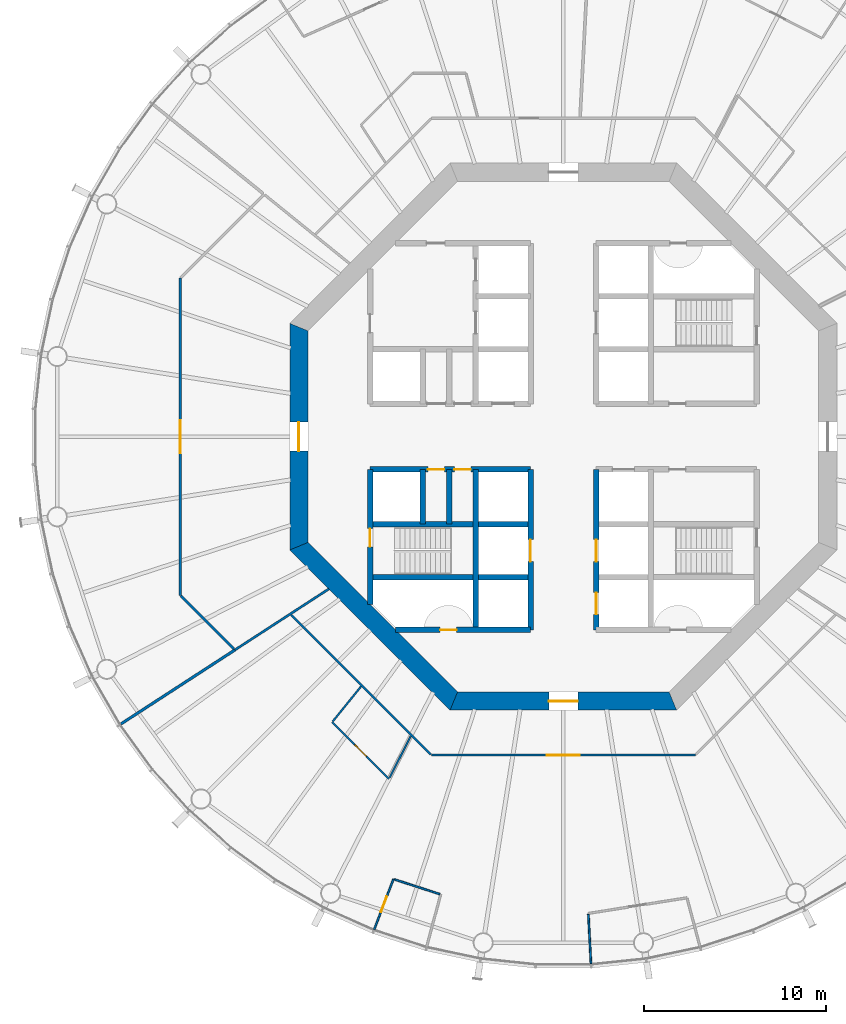
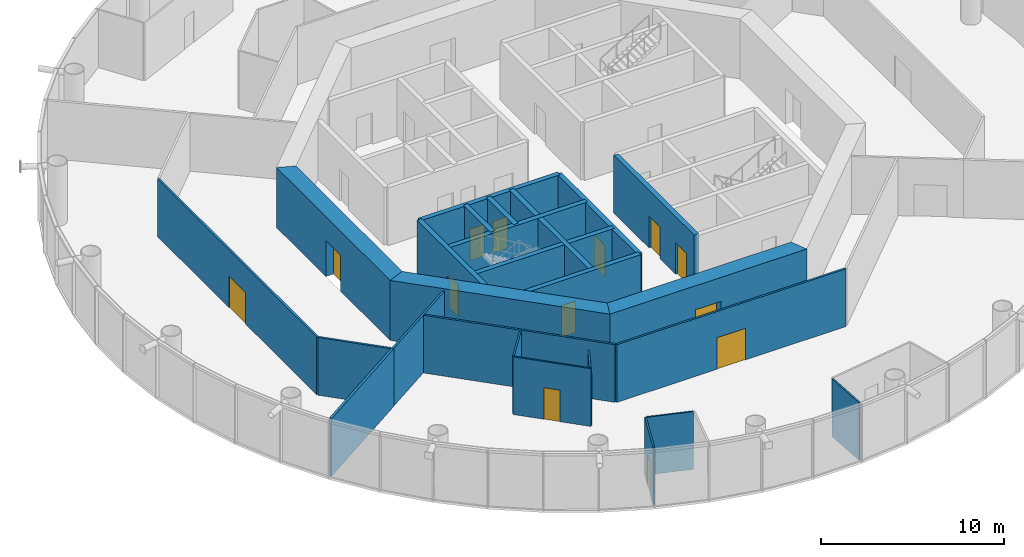
# One storey, part 3 of 17: 25 walls, 13 doors, 13 openings.
"""IFC4 building model written with IfcOpenShell, lengths in metres."""

from ifc_helpers import new_model, si_unit, direction, frame, frame_2d, origin, place, context, subcontext, project, spatial, polyline, rectangle, outline, extrude, material, layer, layer_set, type_object, element, fill, save


model = new_model("IFC4")

# Units and contexts
model_context = context("Model", 3, precision=1e-05, world=origin(), true_north=direction((0.0, 1.0)))
body_context = subcontext(model_context, "Body", "Model", "MODEL_VIEW")
ifc_project = project(units=[si_unit("LENGTHUNIT", "METRE"), si_unit("AREAUNIT", "SQUARE_METRE"), si_unit("VOLUMEUNIT", "CUBIC_METRE"), si_unit("PLANEANGLEUNIT", "RADIAN"), si_unit("MASSUNIT", "GRAM", prefix="KILO")], contexts=[model_context])

# Site, building, storey
site_placement = place(None, origin())
site = spatial("IfcSite", under=ifc_project, at=site_placement, CompositionType="ELEMENT")
building_placement = place(site_placement, origin())
building = spatial("IfcBuilding", under=site, at=building_placement, Name="Entoto Ring Tower", CompositionType="ELEMENT")
storey_placement = place(building_placement, frame((0.0, 0.0, 160.0)))
storey = spatial("IfcBuildingStorey", under=building, at=storey_placement, Name="L36", CompositionType="ELEMENT", Elevation=160.0)

# Wall, openings, doors
ifc_material_1 = material(Name="Concrete C40/50", Category="concrete")
ifc_layer_1 = layer(ifc_material_1, 0.300048828125)
ifc_layer_set_1 = layer_set([ifc_layer_1], Name="Concrete C40/50")
wall_type_1 = type_object("IfcWallType", Name="Core enclosure wall 300 mm reinforced concrete", PredefinedType="SOLIDWALL", material=ifc_layer_set_1)
wall_1_placement = place(storey_placement, frame((91.800048828125, 69.39990234375, 0.0), z_axis=(0.0, 0.0, 1.0), x_axis=(0.0, 1.0, 0.0)))
wall_1 = element("IfcWall", 1, at=wall_1_placement, inside=storey, type_object=wall_type_1, Name="wall-L36-005", PredefinedType="SOLIDWALL", context=body_context, shape_type="SweptSolid", body=[
    extrude(rectangle(XDim=8.800048828125, YDim=0.300048828125, at=frame_2d((4.39990234375, 0.0))), origin(), (0.0, 0.0, 1.0), 3.85009765625),
])
opening_1_placement = place(wall_1_placement, frame((3.75, 0.0, 0.0)))
opening_1 = element("IfcOpeningElement", 2, at=opening_1_placement, cuts=wall_1, Name="Opening LD", PredefinedType="OPENING", context=body_context, shape_type="SweptSolid", body=[
    extrude(rectangle(XDim=1.199951171875, YDim=2.10009765625, at=frame_2d((0.60009765625, 1.050048828125))), frame((0.0, 0.16015625, 0.0), z_axis=(0.0, -1.0, 0.0), x_axis=(1.0, 0.0, 0.0)), (0.0, 0.0, 1.0), 0.320068359375),
])
opening_2_placement = place(wall_1_placement, frame((0.85009765625, 0.0, 0.0)))
opening_2 = element("IfcOpeningElement", 3, at=opening_2_placement, cuts=wall_1, Name="Opening LD", PredefinedType="OPENING", context=body_context, shape_type="SweptSolid", body=[
    extrude(rectangle(XDim=1.199951171875, YDim=2.10009765625, at=frame_2d((0.60009765625, 1.050048828125))), frame((0.0, 0.16015625, 0.0), z_axis=(0.0, -1.0, 0.0), x_axis=(1.0, 0.0, 0.0)), (0.0, 0.0, 1.0), 0.320068359375),
])
ifc_material_2 = material(Name="Steel and glass door leaf", Category="steel")
ifc_layer_2 = layer(ifc_material_2, 0.050048828125)
ifc_layer_set_2 = layer_set([ifc_layer_2], Name="Steel and glass door leaf")
door_type_1 = type_object("IfcDoorType", Name="Landing door 1200 x 2100 sliding", OperationType="DOUBLE_DOOR_SLIDING", PredefinedType="DOOR", material=ifc_layer_set_2)
door_1_placement = place(opening_1_placement, origin())
door_1 = element("IfcDoor", 4, at=door_1_placement, inside=storey, type_object=door_type_1, Name="Landing door LB2-MR", OperationType="SLIDING_TO_RIGHT", OverallHeight=2.10009765625, OverallWidth=1.199951171875, PredefinedType="DOOR", context=body_context, shape_type="SweptSolid", body=[
    extrude(rectangle(XDim=1.199951171875, YDim=2.10009765625, at=frame_2d((0.60009765625, 1.050048828125))), frame((0.0, 0.02490234375, 0.0), z_axis=(0.0, -1.0, 0.0), x_axis=(1.0, 0.0, 0.0)), (0.0, 0.0, 1.0), 0.050048828125),
])
fill(opening_1, door_1)
door_2_placement = place(opening_2_placement, origin())
door_2 = element("IfcDoor", 5, at=door_2_placement, inside=storey, type_object=door_type_1, Name="Landing door LB3-MR", OperationType="SLIDING_TO_RIGHT", OverallHeight=2.10009765625, OverallWidth=1.199951171875, PredefinedType="DOOR", context=body_context, shape_type="SweptSolid", body=[
    extrude(rectangle(XDim=1.199951171875, YDim=2.10009765625, at=frame_2d((0.60009765625, 1.050048828125))), frame((0.0, 0.02490234375, 0.0), z_axis=(0.0, -1.0, 0.0), x_axis=(1.0, 0.0, 0.0)), (0.0, 0.0, 1.0), 0.050048828125),
])
fill(opening_2, door_2)

# Wall, opening, door
wall_2_placement = place(storey_placement, frame((88.199951171875, 69.39990234375, 0.0), z_axis=(0.0, 0.0, 1.0), x_axis=(0.0, 1.0, 0.0)))
wall_2 = element("IfcWall", 6, at=wall_2_placement, inside=storey, type_object=wall_type_1, Name="wall-L36-007", PredefinedType="SOLIDWALL", context=body_context, shape_type="SweptSolid", body=[
    extrude(rectangle(XDim=8.800048828125, YDim=0.300048828125, at=frame_2d((4.39990234375, 0.0))), origin(), (0.0, 0.0, 1.0), 3.85009765625),
])
opening_3_placement = place(wall_2_placement, frame((3.75, 0.0, 0.0)))
opening_3 = element("IfcOpeningElement", 7, at=opening_3_placement, cuts=wall_2, Name="Opening LD", PredefinedType="OPENING", context=body_context, shape_type="SweptSolid", body=[
    extrude(rectangle(XDim=1.199951171875, YDim=2.10009765625, at=frame_2d((0.60009765625, 1.050048828125))), frame((0.0, 0.16015625, 0.0), z_axis=(0.0, -1.0, 0.0), x_axis=(1.0, 0.0, 0.0)), (0.0, 0.0, 1.0), 0.320068359375),
])
door_3_placement = place(opening_3_placement, origin())
door_3 = element("IfcDoor", 8, at=door_3_placement, inside=storey, type_object=door_type_1, Name="Landing door LB4-MR", OperationType="SLIDING_TO_RIGHT", OverallHeight=2.10009765625, OverallWidth=1.199951171875, PredefinedType="DOOR", context=body_context, shape_type="SweptSolid", body=[
    extrude(rectangle(XDim=1.199951171875, YDim=2.10009765625, at=frame_2d((0.60009765625, 1.050048828125))), frame((0.0, 0.02490234375, 0.0), z_axis=(0.0, -1.0, 0.0), x_axis=(1.0, 0.0, 0.0)), (0.0, 0.0, 1.0), 0.050048828125),
])
fill(opening_3, door_3)

# Walls
wall_3_placement = place(storey_placement, frame((85.199951171875, 69.39990234375, 0.0), z_axis=(0.0, 0.0, 1.0), x_axis=(0.0, 1.0, 0.0)))
element("IfcWall", 9, at=wall_3_placement, inside=storey, type_object=wall_type_1, Name="wall-L36-009", PredefinedType="SOLIDWALL", context=body_context, shape_type="SweptSolid", body=[
    extrude(rectangle(XDim=8.800048828125, YDim=0.300048828125, at=frame_2d((4.39990234375, 0.0))), origin(), (0.0, 0.0, 1.0), 3.85009765625),
])
for number, where, z_axis, x_axis, name in (
    (10, (83.75, 75.199951171875, 0.0), (0.0, 0.0, 1.0), (0.0, 1.0, 0.0), "wall-L36-011"),
    (11, (82.300048828125, 75.199951171875, 0.0), (0.0, 0.0, 1.0), (0.0, 1.0, 0.0), "wall-L36-013"),
):
    element("IfcWall", number, at=place(storey_placement, frame(where, z_axis=z_axis, x_axis=x_axis)), inside=storey, type_object=wall_type_1, Name=name, PredefinedType="SOLIDWALL", context=body_context, shape_type="SweptSolid", body=[
        extrude(rectangle(XDim=3.0, YDim=0.300048828125, at=frame_2d((1.5, 0.0))), origin(), (0.0, 0.0, 1.0), 3.85009765625),
    ])

# Wall, opening, door
wall_4_placement = place(storey_placement, frame((79.39990234375, 70.801025390625, 0.0), z_axis=(0.0, 0.0, 1.0), x_axis=(0.0, 1.0, 0.0)))
wall_4 = element("IfcWall", 12, at=wall_4_placement, inside=storey, type_object=wall_type_1, Name="wall-L36-015", PredefinedType="SOLIDWALL", context=body_context, shape_type="SweptSolid", body=[
    extrude(rectangle(XDim=7.39892578125, YDim=0.300048828125, at=frame_2d((3.699462890625, 0.0))), origin(), (0.0, 0.0, 1.0), 3.85009765625),
])
opening_4_placement = place(wall_4_placement, frame((3.14892578125, 0.0, 0.0)))
opening_4 = element("IfcOpeningElement", 13, at=opening_4_placement, cuts=wall_4, Name="Opening K-59", PredefinedType="OPENING", context=body_context, shape_type="SweptSolid", body=[
    extrude(rectangle(XDim=1.0, YDim=2.10009765625, at=frame_2d((0.5, 1.050048828125))), frame((0.0, 0.16015625, 0.0), z_axis=(0.0, -1.0, 0.0), x_axis=(1.0, 0.0, 0.0)), (0.0, 0.0, 1.0), 0.320068359375),
])
ifc_material_3 = material(Name="Steel door leaf, fire rated", Category="steel")
ifc_layer_3 = layer(ifc_material_3, 0.050048828125)
ifc_layer_set_3 = layer_set([ifc_layer_3], Name="Steel door leaf, fire rated")
door_type_2 = type_object("IfcDoorType", Name="Fire door FD60 1000 x 2100 single leaf", OperationType="NOTDEFINED", PredefinedType="DOOR", material=ifc_layer_set_3)
door_4_placement = place(opening_4_placement, frame((1.0, 0.0, 0.0), z_axis=(0.0, 0.0, 1.0), x_axis=(-1.0, 0.0, 0.0)))
door_4 = element("IfcDoor", 14, at=door_4_placement, inside=storey, type_object=door_type_2, Name="Door K-59", OperationType="SINGLE_SWING_LEFT", OverallHeight=2.10009765625, OverallWidth=1.0, PredefinedType="DOOR", context=body_context, shape_type="SweptSolid", body=[
    extrude(rectangle(XDim=1.0, YDim=2.10009765625, at=frame_2d((0.5, 1.050048828125))), frame((0.0, 0.02490234375, 0.0), z_axis=(0.0, -1.0, 0.0), x_axis=(1.0, 0.0, 0.0)), (0.0, 0.0, 1.0), 0.050048828125),
])
fill(opening_4, door_4)

wall_5_placement = place(storey_placement, frame((80.801025390625, 69.39990234375, 0.0), z_axis=(0.0, 0.0, 1.0), x_axis=(1.0, 0.0, 0.0)))
wall_5 = element("IfcWall", 15, at=wall_5_placement, inside=storey, type_object=wall_type_1, Name="wall-L36-017", PredefinedType="SOLIDWALL", context=body_context, shape_type="SweptSolid", body=[
    extrude(rectangle(XDim=7.39892578125, YDim=0.300048828125, at=frame_2d((3.699462890625, 0.0))), origin(), (0.0, 0.0, 1.0), 3.85009765625),
])
opening_5_placement = place(wall_5_placement, frame((2.448974609375, 0.0, 0.0)))
opening_5 = element("IfcOpeningElement", 16, at=opening_5_placement, cuts=wall_5, Name="Opening K-66", PredefinedType="OPENING", context=body_context, shape_type="SweptSolid", body=[
    extrude(rectangle(XDim=0.89990234375, YDim=2.10009765625, at=frame_2d((0.449951171875, 1.050048828125))), frame((0.0, 0.16015625, 0.0), z_axis=(0.0, -1.0, 0.0), x_axis=(1.0, 0.0, 0.0)), (0.0, 0.0, 1.0), 0.320068359375),
])
ifc_material_4 = material(Name="Steel door leaf, fire rated", Category="steel")
ifc_layer_4 = layer(ifc_material_4, 0.050048828125)
ifc_layer_set_4 = layer_set([ifc_layer_4], Name="Steel door leaf, fire rated")
door_type_3 = type_object("IfcDoorType", Name="Riser door FD60 900 x 2100 single leaf", OperationType="NOTDEFINED", PredefinedType="DOOR", material=ifc_layer_set_4)
door_5_placement = place(opening_5_placement, origin())
door_5 = element("IfcDoor", 17, at=door_5_placement, inside=storey, type_object=door_type_3, Name="Door K-66", OperationType="SINGLE_SWING_RIGHT", OverallHeight=2.10009765625, OverallWidth=0.89990234375, PredefinedType="DOOR", context=body_context, shape_type="SweptSolid", body=[
    extrude(rectangle(XDim=0.89990234375, YDim=2.10009765625, at=frame_2d((0.449951171875, 1.050048828125))), frame((0.0, 0.02490234375, 0.0), z_axis=(0.0, -1.0, 0.0), x_axis=(1.0, 0.0, 0.0)), (0.0, 0.0, 1.0), 0.050048828125),
])
fill(opening_5, door_5)

# Walls
for number, where, z_axis, x_axis, name in (
    (18, (79.39990234375, 72.300048828125, 0.0), (0.0, 0.0, 1.0), (1.0, 0.0, 0.0), "wall-L36-019"),
    (19, (79.39990234375, 75.199951171875, 0.0), (0.0, 0.0, 1.0), (1.0, 0.0, 0.0), "wall-L36-021"),
):
    element("IfcWall", number, at=place(storey_placement, frame(where, z_axis=z_axis, x_axis=x_axis)), inside=storey, type_object=wall_type_1, Name=name, PredefinedType="SOLIDWALL", context=body_context, shape_type="SweptSolid", body=[
        extrude(rectangle(XDim=8.800048828125, YDim=0.300048828125, at=frame_2d((4.39990234375, 0.0))), origin(), (0.0, 0.0, 1.0), 3.85009765625),
    ])

# Wall, openings, doors
wall_6_placement = place(storey_placement, frame((79.39990234375, 78.199951171875, 0.0), z_axis=(0.0, 0.0, 1.0), x_axis=(1.0, 0.0, 0.0)))
wall_6 = element("IfcWall", 20, at=wall_6_placement, inside=storey, type_object=wall_type_1, Name="wall-L36-023", PredefinedType="SOLIDWALL", context=body_context, shape_type="SweptSolid", body=[
    extrude(rectangle(XDim=8.800048828125, YDim=0.300048828125, at=frame_2d((4.39990234375, 0.0))), origin(), (0.0, 0.0, 1.0), 3.85009765625),
])
opening_6_placement = place(wall_6_placement, frame((3.175048828125, 0.0, 0.0)))
opening_6 = element("IfcOpeningElement", 21, at=opening_6_placement, cuts=wall_6, Name="Opening K-15", PredefinedType="OPENING", context=body_context, shape_type="SweptSolid", body=[
    extrude(rectangle(XDim=0.89990234375, YDim=2.10009765625, at=frame_2d((0.449951171875, 1.050048828125))), frame((0.0, 0.16015625, 0.0), z_axis=(0.0, -1.0, 0.0), x_axis=(1.0, 0.0, 0.0)), (0.0, 0.0, 1.0), 0.320068359375),
])
opening_7_placement = place(wall_6_placement, frame((4.625, 0.0, 0.0)))
opening_7 = element("IfcOpeningElement", 22, at=opening_7_placement, cuts=wall_6, Name="Opening K-16", PredefinedType="OPENING", context=body_context, shape_type="SweptSolid", body=[
    extrude(rectangle(XDim=0.89990234375, YDim=2.10009765625, at=frame_2d((0.449951171875, 1.050048828125))), frame((0.0, 0.16015625, 0.0), z_axis=(0.0, -1.0, 0.0), x_axis=(1.0, 0.0, 0.0)), (0.0, 0.0, 1.0), 0.320068359375),
])
ifc_material_5 = material(Name="Steel door leaf, fire rated", Category="steel")
ifc_layer_5 = layer(ifc_material_5, 0.050048828125)
ifc_layer_set_5 = layer_set([ifc_layer_5], Name="Steel door leaf, fire rated")
door_type_4 = type_object("IfcDoorType", Name="Core door 900 x 2100 single leaf", OperationType="NOTDEFINED", PredefinedType="DOOR", material=ifc_layer_set_5)
door_6_placement = place(opening_6_placement, frame((0.89990234375, 0.0, 0.0), z_axis=(0.0, 0.0, 1.0), x_axis=(-1.0, 0.0, 0.0)))
door_6 = element("IfcDoor", 23, at=door_6_placement, inside=storey, type_object=door_type_4, Name="Door K-15", OperationType="SINGLE_SWING_LEFT", OverallHeight=2.10009765625, OverallWidth=0.89990234375, PredefinedType="DOOR", context=body_context, shape_type="SweptSolid", body=[
    extrude(rectangle(XDim=0.89990234375, YDim=2.10009765625, at=frame_2d((0.449951171875, 1.050048828125))), frame((0.0, 0.02490234375, 0.0), z_axis=(0.0, -1.0, 0.0), x_axis=(1.0, 0.0, 0.0)), (0.0, 0.0, 1.0), 0.050048828125),
])
fill(opening_6, door_6)
door_7_placement = place(opening_7_placement, frame((0.89990234375, 0.0, 0.0), z_axis=(0.0, 0.0, 1.0), x_axis=(-1.0, 0.0, 0.0)))
door_7 = element("IfcDoor", 24, at=door_7_placement, inside=storey, type_object=door_type_4, Name="Door K-16", OperationType="SINGLE_SWING_LEFT", OverallHeight=2.10009765625, OverallWidth=0.89990234375, PredefinedType="DOOR", context=body_context, shape_type="SweptSolid", body=[
    extrude(rectangle(XDim=0.89990234375, YDim=2.10009765625, at=frame_2d((0.449951171875, 1.050048828125))), frame((0.0, 0.02490234375, 0.0), z_axis=(0.0, -1.0, 0.0), x_axis=(1.0, 0.0, 0.0)), (0.0, 0.0, 1.0), 0.050048828125),
])
fill(opening_7, door_7)

# Wall, opening, door
ifc_material_6 = material(Name="Concrete C50/60", Category="concrete")
ifc_layer_6 = layer(ifc_material_6, 1.0)
ifc_layer_set_6 = layer_set([ifc_layer_6], Name="Concrete C50/60")
wall_type_2 = type_object("IfcWallType", Name="Core shear wall 1000 mm reinforced concrete C50/60", PredefinedType="SHEAR", material=ifc_layer_set_6)
wall_7_placement = place(storey_placement, frame((75.5, 86.006103515625, 0.0), z_axis=(0.0, 0.0, 1.0), x_axis=(0.0, -1.0, 0.0)))
wall_7 = element("IfcWall", 25, at=wall_7_placement, inside=storey, type_object=wall_type_2, Name="wall-L36-core-4", PredefinedType="SHEAR", context=body_context, shape_type="SweptSolid", body=[
    extrude(outline(polyline([(-0.20703125, -0.5), (12.21923828125, -0.5), (11.80517578125, 0.5), (0.20703125, 0.5), (-0.20703125, -0.5)])), origin(), (0.0, 0.0, 1.0), 4.0),
])
opening_8_placement = place(wall_7_placement, frame((5.2060546875, 0.0, 0.0)))
opening_8 = element("IfcOpeningElement", 26, at=opening_8_placement, cuts=wall_7, Name="Opening K-03", PredefinedType="OPENING", context=body_context, shape_type="SweptSolid", body=[
    extrude(rectangle(XDim=1.60009765625, YDim=2.39990234375, at=frame_2d((0.800048828125, 1.199951171875))), frame((0.0, 0.510009765625, 0.0), z_axis=(0.0, -1.0, 0.0), x_axis=(1.0, 0.0, 0.0)), (0.0, 0.0, 1.0), 1.02001953125),
])
ifc_material_7 = material(Name="Steel door leaf, fire rated", Category="steel")
ifc_layer_7 = layer(ifc_material_7, 0.050048828125)
ifc_layer_set_7 = layer_set([ifc_layer_7], Name="Steel door leaf, fire rated")
door_type_5 = type_object("IfcDoorType", Name="Entrance door FD60 1600 x 2400 double leaf", OperationType="DOUBLE_DOOR_SINGLE_SWING", PredefinedType="DOOR", material=ifc_layer_set_7)
door_8_placement = place(opening_8_placement, origin())
door_8 = element("IfcDoor", 27, at=door_8_placement, inside=storey, type_object=door_type_5, Name="Entrance door K-03", OperationType="DOUBLE_DOOR_SINGLE_SWING", OverallHeight=2.39990234375, OverallWidth=1.60009765625, PredefinedType="DOOR", context=body_context, shape_type="SweptSolid", body=[
    extrude(rectangle(XDim=1.60009765625, YDim=2.39990234375, at=frame_2d((0.800048828125, 1.199951171875))), frame((0.0, 0.02490234375, 0.0), z_axis=(0.0, -1.0, 0.0), x_axis=(1.0, 0.0, 0.0)), (0.0, 0.0, 1.0), 0.050048828125),
])
fill(opening_8, door_8)

# Wall
wall_8_placement = place(storey_placement, frame((75.5, 73.993896484375, 0.0), z_axis=(0.0, 0.0, 1.0), x_axis=(0.707106781187, -0.707106781187, 0.0)))
element("IfcWall", 28, at=wall_8_placement, inside=storey, type_object=wall_type_2, Name="wall-L36-core-5", PredefinedType="SHEAR", context=body_context, shape_type="SweptSolid", body=[
    extrude(outline(polyline([(-0.20703125, -0.5), (12.21923828125, -0.5), (11.80517578125, 0.5), (0.20703125, 0.5), (-0.20703125, -0.5)])), origin(), (0.0, 0.0, 1.0), 4.0),
])

# Wall, opening, door
wall_9_placement = place(storey_placement, frame((83.993896484375, 65.5, 0.0), z_axis=(0.0, 0.0, 1.0), x_axis=(1.0, 0.0, 0.0)))
wall_9 = element("IfcWall", 29, at=wall_9_placement, inside=storey, type_object=wall_type_2, Name="wall-L36-core-6", PredefinedType="SHEAR", context=body_context, shape_type="SweptSolid", body=[
    extrude(outline(polyline([(-0.20703125, -0.5), (12.21923828125, -0.5), (11.80517578125, 0.5), (0.20703125, 0.5), (-0.20703125, -0.5)])), origin(), (0.0, 0.0, 1.0), 4.0),
])
opening_9_placement = place(wall_9_placement, frame((5.2060546875, 0.0, 0.0)))
opening_9 = element("IfcOpeningElement", 30, at=opening_9_placement, cuts=wall_9, Name="Opening K-04", PredefinedType="OPENING", context=body_context, shape_type="SweptSolid", body=[
    extrude(rectangle(XDim=1.60009765625, YDim=2.39990234375, at=frame_2d((0.800048828125, 1.199951171875))), frame((0.0, 0.510009765625, 0.0), z_axis=(0.0, -1.0, 0.0), x_axis=(1.0, 0.0, 0.0)), (0.0, 0.0, 1.0), 1.02001953125),
])
door_9_placement = place(opening_9_placement, origin())
door_9 = element("IfcDoor", 31, at=door_9_placement, inside=storey, type_object=door_type_5, Name="Entrance door K-04", OperationType="DOUBLE_DOOR_SINGLE_SWING", OverallHeight=2.39990234375, OverallWidth=1.60009765625, PredefinedType="DOOR", context=body_context, shape_type="SweptSolid", body=[
    extrude(rectangle(XDim=1.60009765625, YDim=2.39990234375, at=frame_2d((0.800048828125, 1.199951171875))), frame((0.0, 0.02490234375, 0.0), z_axis=(0.0, -1.0, 0.0), x_axis=(1.0, 0.0, 0.0)), (0.0, 0.0, 1.0), 0.050048828125),
])
fill(opening_9, door_9)

ifc_material_8 = material(Name="Fire-resisting plasterboard on steel studs", Category="steel")
ifc_layer_8 = layer(ifc_material_8, 0.125)
ifc_layer_set_8 = layer_set([ifc_layer_8], Name="Fire-resisting plasterboard on steel studs")
wall_type_3 = type_object("IfcWallType", Name="Corridor wall 125 mm one-hour plasterboard on steel studs", PredefinedType="PARTITIONING", material=ifc_layer_set_8)
wall_10_placement = place(storey_placement, frame((69.0, 71.301513671875, 0.0), z_axis=(0.0, 0.0, 1.0), x_axis=(0.0, 1.0, 0.0)))
wall_10 = element("IfcWall", 32, at=wall_10_placement, inside=storey, type_object=wall_type_3, Name="partition-L36-001", PredefinedType="PARTITIONING", context=body_context, shape_type="SweptSolid", body=[
    extrude(rectangle(XDim=17.39697265625, YDim=0.125, at=frame_2d((8.698486328125, 0.0))), origin(), (0.0, 0.0, 1.0), 3.85009765625),
])
opening_10_placement = place(wall_10_placement, frame((7.798583984375, 0.0, 0.0)))
opening_10 = element("IfcOpeningElement", 33, at=opening_10_placement, cuts=wall_10, Name="Opening A16-D02", PredefinedType="OPENING", context=body_context, shape_type="SweptSolid", body=[
    extrude(rectangle(XDim=1.800048828125, YDim=2.10009765625, at=frame_2d((0.89990234375, 1.050048828125))), frame((0.0, 0.072509765625, 0.0), z_axis=(0.0, -1.0, 0.0), x_axis=(1.0, 0.0, 0.0)), (0.0, 0.0, 1.0), 0.14501953125),
])
ifc_material_9 = material(Name="Fire-resisting timber door set", Category="wood")
door_type_6 = type_object("IfcDoorType", Name="Door 1800 x 2100 double leaf FD30S fire door", OperationType="DOUBLE_DOOR_SINGLE_SWING", PredefinedType="DOOR", material=ifc_material_9)
door_10_placement = place(opening_10_placement, origin())
door_10 = element("IfcDoor", 34, at=door_10_placement, inside=storey, type_object=door_type_6, Name="Door A16-D02", OperationType="DOUBLE_DOOR_SINGLE_SWING", OverallHeight=2.10009765625, OverallWidth=1.800048828125, PredefinedType="DOOR", context=body_context, shape_type="SweptSolid", body=[
    extrude(rectangle(XDim=1.800048828125, YDim=2.10009765625, at=frame_2d((0.89990234375, 1.050048828125))), frame((0.0, 0.02490234375, 0.0), z_axis=(0.0, -1.0, 0.0), x_axis=(1.0, 0.0, 0.0)), (0.0, 0.0, 1.0), 0.050048828125),
])
fill(opening_10, door_10)

wall_11_placement = place(storey_placement, frame((82.766845703125, 62.53759765625, 0.0), z_axis=(0.0, 0.0, 1.0), x_axis=(1.0, 0.0, 0.0)))
wall_11 = element("IfcWall", 35, at=wall_11_placement, inside=storey, type_object=wall_type_3, Name="partition-L36-003", PredefinedType="PARTITIONING", context=body_context, shape_type="SweptSolid", body=[
    extrude(rectangle(XDim=14.46630859375, YDim=0.125, at=frame_2d((7.233154296875, 0.0))), origin(), (0.0, 0.0, 1.0), 3.85009765625),
])
opening_11_placement = place(wall_11_placement, frame((6.333251953125, 0.0, 0.0)))
opening_11 = element("IfcOpeningElement", 36, at=opening_11_placement, cuts=wall_11, Name="Opening A16-D09", PredefinedType="OPENING", context=body_context, shape_type="SweptSolid", body=[
    extrude(rectangle(XDim=1.800048828125, YDim=2.10009765625, at=frame_2d((0.89990234375, 1.050048828125))), frame((0.0, 0.072509765625, 0.0), z_axis=(0.0, -1.0, 0.0), x_axis=(1.0, 0.0, 0.0)), (0.0, 0.0, 1.0), 0.14501953125),
])
door_11_placement = place(opening_11_placement, origin())
door_11 = element("IfcDoor", 37, at=door_11_placement, inside=storey, type_object=door_type_6, Name="Door A16-D09", OperationType="DOUBLE_DOOR_SINGLE_SWING", OverallHeight=2.10009765625, OverallWidth=1.800048828125, PredefinedType="DOOR", context=body_context, shape_type="SweptSolid", body=[
    extrude(rectangle(XDim=1.800048828125, YDim=2.10009765625, at=frame_2d((0.89990234375, 1.050048828125))), frame((0.0, 0.02490234375, 0.0), z_axis=(0.0, -1.0, 0.0), x_axis=(1.0, 0.0, 0.0)), (0.0, 0.0, 1.0), 0.050048828125),
])
fill(opening_11, door_11)

# Walls
wall_12_placement = place(storey_placement, frame((82.735595703125, 62.568603515625, 0.0), z_axis=(0.0, 0.0, 1.0), x_axis=(-0.707095503297, 0.707118058897, 0.0)))
element("IfcWall", 38, at=wall_12_placement, inside=storey, type_object=wall_type_3, Name="partition-L36-006", PredefinedType="PARTITIONING", context=body_context, shape_type="SweptSolid", body=[
    extrude(rectangle(XDim=10.823974609375, YDim=0.125, at=frame_2d((5.412109375, 0.0))), origin(), (0.0, 0.0, 1.0), 3.85009765625),
])
wall_13_placement = place(storey_placement, frame((71.994384765625, 68.306884765625, 0.0), z_axis=(0.0, 0.0, 1.0), x_axis=(0.838658147636, 0.544658160137, 0.0)))
element("IfcWall", 39, at=wall_13_placement, inside=storey, type_object=wall_type_3, Name="partition-L36-011", PredefinedType="PARTITIONING", context=body_context, shape_type="SweptSolid", body=[
    extrude(rectangle(XDim=6.13427734375, YDim=0.125, at=frame_2d((3.067138671875, 0.0))), origin(), (0.0, 0.0, 1.0), 3.85009765625),
])
wall_14_placement = place(storey_placement, frame((71.930908203125, 68.37060546875, 0.0), z_axis=(0.0, 0.0, 1.0), x_axis=(-0.707106781187, 0.707106781187, 0.0)))
element("IfcWall", 40, at=wall_14_placement, inside=storey, type_object=wall_type_3, Name="partition-L36-014", PredefinedType="PARTITIONING", context=body_context, shape_type="SweptSolid", body=[
    extrude(rectangle(XDim=4.10107421875, YDim=0.125, at=frame_2d((2.050537109375, 0.0))), origin(), (0.0, 0.0, 1.0), 3.85009765625),
])

# Wall, opening, door
ifc_material_10 = material(Name="Plasterboard on steel studs", Category="steel")
ifc_layer_9 = layer(ifc_material_10, 0.10009765625)
ifc_layer_set_9 = layer_set([ifc_layer_9], Name="Plasterboard on steel studs")
wall_type_4 = type_object("IfcWallType", Name="Partition 100 mm plasterboard on steel studs", PredefinedType="PARTITIONING", material=ifc_layer_set_9)
wall_15_placement = place(storey_placement, frame((80.4375, 61.232421875, 0.0), z_axis=(0.0, 0.0, 1.0), x_axis=(-0.707106781187, 0.707106781187, 0.0)))
wall_15 = element("IfcWall", 41, at=wall_15_placement, inside=storey, type_object=wall_type_4, Name="partition-L36-025", PredefinedType="PARTITIONING", context=body_context, shape_type="SweptSolid", body=[
    extrude(rectangle(XDim=4.403564453125, YDim=0.10009765625, at=frame_2d((2.20166015625, 0.0))), origin(), (0.0, 0.0, 1.0), 3.85009765625),
])
opening_12_placement = place(wall_15_placement, frame((1.751708984375, 0.0, 0.0)))
opening_12 = element("IfcOpeningElement", 42, at=opening_12_placement, cuts=wall_15, Name="Opening A16-D11", PredefinedType="OPENING", context=body_context, shape_type="SweptSolid", body=[
    extrude(rectangle(XDim=0.89990234375, YDim=2.10009765625, at=frame_2d((0.449951171875, 1.050048828125))), frame((0.0, 0.06005859375, 0.0), z_axis=(0.0, -1.0, 0.0), x_axis=(1.0, 0.0, 0.0)), (0.0, 0.0, 1.0), 0.1201171875),
])
ifc_material_11 = material(Name="Veneered timber door leaf in timber frame", Category="wood")
door_type_7 = type_object("IfcDoorType", Name="Door 900 x 2100 single leaf timber veneer", OperationType="NOTDEFINED", PredefinedType="DOOR", material=ifc_material_11)
door_12_placement = place(opening_12_placement, frame((0.89990234375, 0.0, 0.0), z_axis=(0.0, 0.0, 1.0), x_axis=(-1.0, 0.0, 0.0)))
door_12 = element("IfcDoor", 43, at=door_12_placement, inside=storey, type_object=door_type_7, Name="Door A16-D11", OperationType="SINGLE_SWING_RIGHT", OverallHeight=2.10009765625, OverallWidth=0.89990234375, PredefinedType="DOOR", context=body_context, shape_type="SweptSolid", body=[
    extrude(rectangle(XDim=0.89990234375, YDim=2.10009765625, at=frame_2d((0.449951171875, 1.050048828125))), frame((0.0, 0.02490234375, 0.0), z_axis=(0.0, -1.0, 0.0), x_axis=(1.0, 0.0, 0.0)), (0.0, 0.0, 1.0), 0.050048828125),
])
fill(opening_12, door_12)

wall_16_placement = place(storey_placement, frame((79.62890625, 52.982177734375, 0.0), z_axis=(0.0, 0.0, 1.0), x_axis=(0.358368936698, 0.933580047564, 0.0)))
wall_16 = element("IfcWall", 44, at=wall_16_placement, inside=storey, type_object=wall_type_4, Name="partition-L36-028", PredefinedType="PARTITIONING", context=body_context, shape_type="SweptSolid", body=[
    extrude(rectangle(XDim=2.949951171875, YDim=0.10009765625, at=frame_2d((1.47509765625, 0.0))), origin(), (0.0, 0.0, 1.0), 3.85009765625),
])
opening_13_placement = place(wall_16_placement, frame((1.02490234375, 0.0, 0.0)))
opening_13 = element("IfcOpeningElement", 45, at=opening_13_placement, cuts=wall_16, Name="Opening A16-D12", PredefinedType="OPENING", context=body_context, shape_type="SweptSolid", body=[
    extrude(rectangle(XDim=0.89990234375, YDim=2.10009765625, at=frame_2d((0.449951171875, 1.050048828125))), frame((0.0, 0.06005859375, 0.0), z_axis=(0.0, -1.0, 0.0), x_axis=(1.0, 0.0, 0.0)), (0.0, 0.0, 1.0), 0.1201171875),
])
door_13_placement = place(opening_13_placement, frame((0.89990234375, 0.0, 0.0), z_axis=(0.0, 0.0, 1.0), x_axis=(-1.0, 0.0, 0.0)))
door_13 = element("IfcDoor", 46, at=door_13_placement, inside=storey, type_object=door_type_7, Name="Door A16-D12", OperationType="SINGLE_SWING_RIGHT", OverallHeight=2.10009765625, OverallWidth=0.89990234375, PredefinedType="DOOR", context=body_context, shape_type="SweptSolid", body=[
    extrude(rectangle(XDim=0.89990234375, YDim=2.10009765625, at=frame_2d((0.449951171875, 1.050048828125))), frame((0.0, 0.02490234375, 0.0), z_axis=(0.0, -1.0, 0.0), x_axis=(1.0, 0.0, 0.0)), (0.0, 0.0, 1.0), 0.050048828125),
])
fill(opening_13, door_13)

# Walls
wall_17_placement = place(storey_placement, frame((91.5146484375, 51.099609375, 0.0), z_axis=(0.0, 0.0, 1.0), x_axis=(-0.052331909705, 0.998629746816, 0.0)))
element("IfcWall", 47, at=wall_17_placement, inside=storey, type_object=wall_type_4, Name="partition-L36-035", PredefinedType="PARTITIONING", context=body_context, shape_type="SweptSolid", body=[
    extrude(rectangle(XDim=2.71044921875, YDim=0.10009765625, at=frame_2d((1.355224609375, 0.0))), origin(), (0.0, 0.0, 1.0), 3.85009765625),
])
wall_18_placement = place(storey_placement, frame((83.225830078125, 54.910888671875, 0.0), z_axis=(0.0, 0.0, 1.0), x_axis=(-0.951059395916, 0.309008131673, 0.0)))
element("IfcWall", 48, at=wall_18_placement, inside=storey, type_object=wall_type_4, Name="partition-L36-037", PredefinedType="PARTITIONING", context=body_context, shape_type="SweptSolid", body=[
    extrude(rectangle(XDim=2.62060546875, YDim=0.10009765625, at=frame_2d((1.310302734375, 0.0))), origin(), (0.0, 0.0, 1.0), 3.85009765625),
])
wall_19_placement = place(storey_placement, frame((77.35498046875, 64.384765625, 0.0), z_axis=(0.0, 0.0, 1.0), x_axis=(0.629283655167, 0.777175708151, 0.0)))
element("IfcWall", 49, at=wall_19_placement, inside=storey, type_object=wall_type_4, Name="partition-L36-040", PredefinedType="PARTITIONING", context=body_context, shape_type="SweptSolid", body=[
    extrude(rectangle(XDim=2.46630859375, YDim=0.10009765625, at=frame_2d((1.233154296875, 0.0))), origin(), (0.0, 0.0, 1.0), 3.85009765625),
])
ifc_material_12 = material(Name="Plasterboard on steel studs", Category="steel")
ifc_layer_10 = layer(ifc_material_12, 0.10009765625)
ifc_layer_set_10 = layer_set([ifc_layer_10], Name="Plasterboard on steel studs")
wall_type_5 = type_object("IfcWallType", Name="Partition 100 mm plasterboard on steel studs, 3250 mm high", PredefinedType="PARTITIONING", material=ifc_layer_set_10)
wall_20_placement = place(storey_placement, frame((80.468505859375, 61.29345703125, 0.0), z_axis=(0.0, 0.0, 1.0), x_axis=(0.454050461823, 0.890975969439, 0.0)))
element("IfcWall", 50, at=wall_20_placement, inside=storey, type_object=wall_type_5, Name="partition-L36-038", PredefinedType="PARTITIONING", context=body_context, shape_type="SweptSolid", body=[
    extrude(rectangle(XDim=2.552001953125, YDim=0.10009765625, at=frame_2d((1.27587890625, 0.0))), origin(), (0.0, 0.0, 1.0), 3.25),
])
ifc_material_13 = material(Name="Fire-resisting acoustic plasterboard on steel studs", Category="steel")
ifc_layer_11 = layer(ifc_material_13, 0.14990234375)
ifc_layer_set_11 = layer_set([ifc_layer_11], Name="Fire-resisting acoustic plasterboard on steel studs")
wall_type_6 = type_object("IfcWallType", Name="Party wall 150 mm one-hour acoustic plasterboard on steel studs", PredefinedType="PARTITIONING", material=ifc_layer_set_11)
wall_21_placement = place(storey_placement, frame((65.72900390625, 64.238037109375, 0.0), z_axis=(0.0, 0.0, 1.0), x_axis=(0.838666792269, 0.544644849003, 0.0)))
element("IfcWall", 51, at=wall_21_placement, inside=storey, type_object=wall_type_6, Name="partition-L36-019", PredefinedType="PARTITIONING", context=body_context, shape_type="SweptSolid", body=[
    extrude(rectangle(XDim=7.470703125, YDim=0.14990234375, at=frame_2d((3.7353515625, 0.0))), origin(), (0.0, 0.0, 1.0), 3.85009765625),
])

save(model, "model.ifc")
